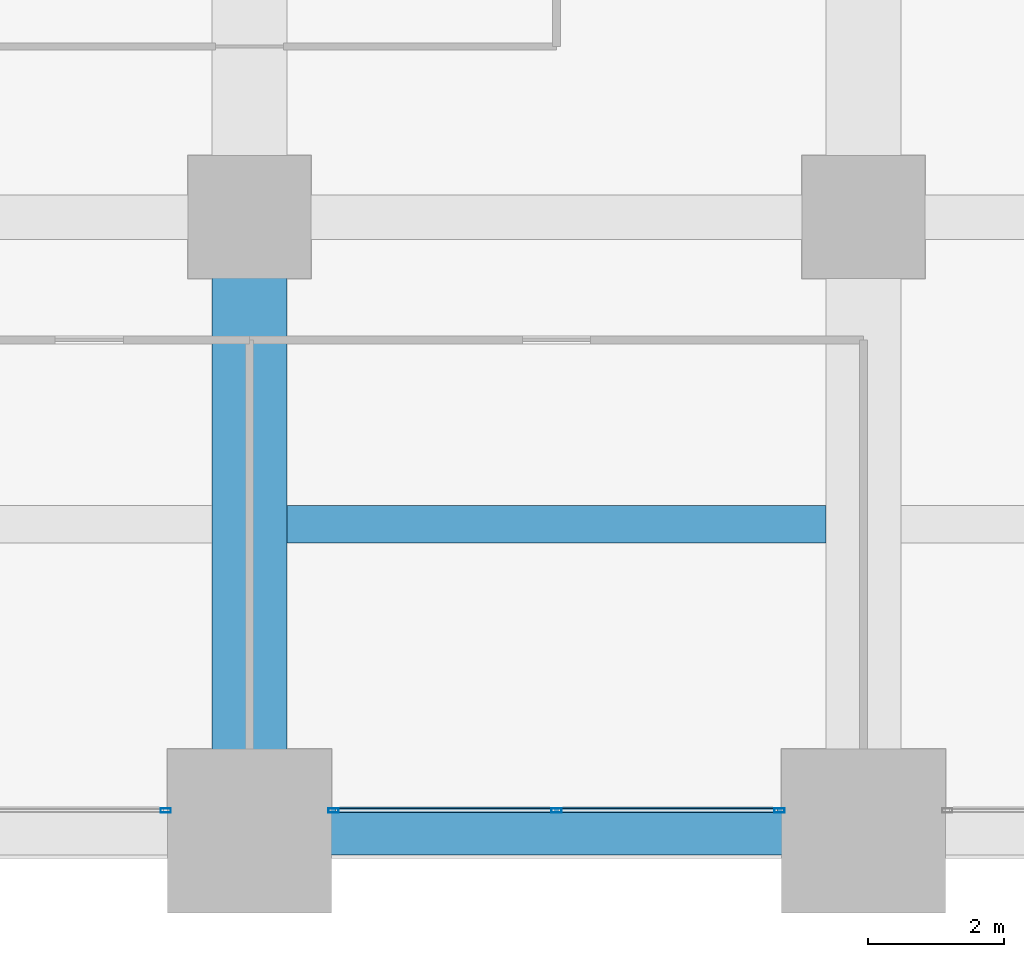
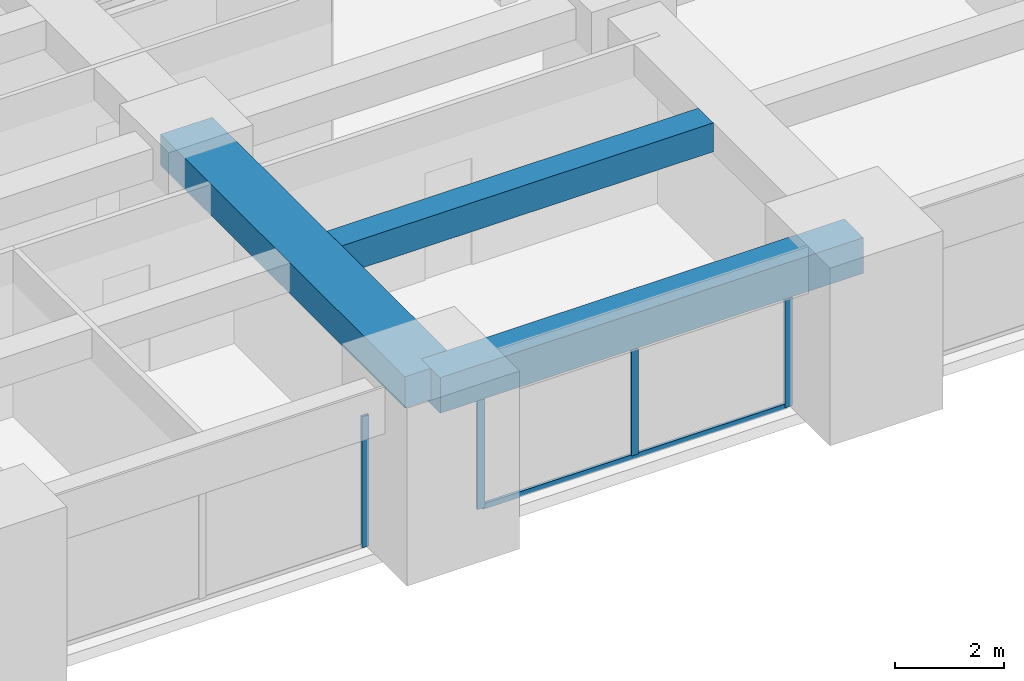
# One storey, part 6 of 41: 5 members, 3 beams, 2 elements without a shape of their own.
"""IFC4 building model written with IfcOpenShell, lengths in metres."""

from ifc_helpers import new_model, si_unit, direction, frame, origin, origin_2d, place, context, subcontext, project, spatial, rectangle, hollow_rectangle, extrude, material, material_profile, profile_set, type_object, element, aggregate, save


model = new_model("IFC4")

# Units and contexts
model_context = context("Model", 3, precision=1e-05, world=origin(), true_north=direction((0.0, 1.0)))
body_context = subcontext(model_context, "Body", "Model", "MODEL_VIEW")
ifc_project = project(units=[si_unit("LENGTHUNIT", "METRE"), si_unit("AREAUNIT", "SQUARE_METRE"), si_unit("VOLUMEUNIT", "CUBIC_METRE"), si_unit("PLANEANGLEUNIT", "RADIAN"), si_unit("MASSUNIT", "GRAM", prefix="KILO")], contexts=[model_context])

# Site, building, storey
site_placement = place(None, origin())
site = spatial("IfcSite", under=ifc_project, at=site_placement, CompositionType="ELEMENT")
building_placement = place(site_placement, origin())
building = spatial("IfcBuilding", under=site, at=building_placement, Name="Zorevar Civic Tower", CompositionType="ELEMENT")
storey_placement = place(building_placement, frame((0.0, 0.0, 137.0)))
storey = spatial("IfcBuildingStorey", under=building, at=storey_placement, Name="L33", CompositionType="ELEMENT", Elevation=137.0)

# Beams
ifc_material_1 = material(Name="Concrete C50/60", Category="concrete")
ifc_material_profile_1 = material_profile(ifc_material_1, rectangle(XDim=1.10009765625, YDim=0.699951171875, at=origin_2d()), Name="RC 1100x700")
ifc_profile_set_1 = profile_set([ifc_material_profile_1], Name="Concrete C50/60")
beam_type_1 = type_object("IfcBeamType", Name="Beam RC 1100x700", PredefinedType="BEAM", material=ifc_profile_set_1)
beam_1_placement = place(storey_placement, frame((18.0, 0.0, 3.39990234375), z_axis=(0.0, 1.0, 0.0), x_axis=(-1.0, 0.0, 0.0)))
element("IfcBeam", 1, at=beam_1_placement, inside=storey, type_object=beam_type_1, Name="Girder L34", PredefinedType="BEAM", context=body_context, shape_type="SweptSolid", body=[
    extrude(rectangle(XDim=1.10009765625, YDim=0.699951171875, at=origin_2d()), origin(), (0.0, 0.0, 1.0), 9.0),
])
ifc_material_2 = material(Name="Concrete C50/60", Category="concrete")
ifc_material_profile_2 = material_profile(ifc_material_2, rectangle(XDim=0.550048828125, YDim=0.64990234375, at=origin_2d()), Name="RC 550x650")
ifc_profile_set_2 = profile_set([ifc_material_profile_2], Name="Concrete C50/60")
beam_type_2 = type_object("IfcBeamType", Name="Beam RC 550x650", PredefinedType="BEAM", material=ifc_profile_set_2)
beam_2_placement = place(storey_placement, frame((18.550048828125, 4.5, 3.425048828125), z_axis=(1.0, 0.0, 0.0), x_axis=(0.0, 1.0, 0.0)))
element("IfcBeam", 2, at=beam_2_placement, inside=storey, type_object=beam_type_2, Name="Secondary beam L34", PredefinedType="BEAM", context=body_context, shape_type="SweptSolid", body=[
    extrude(rectangle(XDim=0.550048828125, YDim=0.64990234375, at=origin_2d()), origin(), (0.0, 0.0, 1.0), 7.89990234375),
])

# Curtain wall, member
ifc_material_3 = material(Name="Dark grey solar-control glass in black aluminium frame", Category="aluminium")
curtain_wall_type = type_object("IfcCurtainWallType", Name="Curtain wall CW3 mid zone", PredefinedType="NOTDEFINED", material=ifc_material_3)
curtain_wall_1_placement = place(storey_placement, origin())
curtain_wall_1 = element("IfcCurtainWall", 3, at=curtain_wall_1_placement, inside=storey, type_object=curtain_wall_type, Name="CW3 L33", PredefinedType="NOTDEFINED")
ifc_material_4 = material(Name="Aluminium, black anodised", Category="aluminium")
ifc_material_profile_3 = material_profile(ifc_material_4, hollow_rectangle(XDim=0.06005859375, YDim=0.14990234375, WallThickness=0.00390625, at=origin_2d()), Name="AL 150x60x4")
ifc_profile_set_3 = profile_set([ifc_material_profile_3], Name="Aluminium, black anodised")
member_type_1 = type_object("IfcMemberType", Name="CW3 mullion AL 150x60x4", PredefinedType="MULLION", material=ifc_profile_set_3)
member_1_placement = place(storey_placement, frame((16.77001953125, 0.300048828125, 0.0), z_axis=(0.0, 0.0, 1.0), x_axis=(0.0, 1.0, 0.0)))
member_1 = element("IfcMember", 4, at=member_1_placement, type_object=member_type_1, Name="CW3 mullion 3", PredefinedType="MULLION", context=body_context, shape_type="SweptSolid", body=[
    extrude(hollow_rectangle(XDim=0.06005859375, YDim=0.14990234375, WallThickness=0.00390625, at=origin_2d()), origin(), (0.0, 0.0, 1.0), 2.949951171875),
])
aggregate(curtain_wall_1, [member_1])

# Curtain wall, members
curtain_wall_2_placement = place(storey_placement, origin())
curtain_wall_2 = element("IfcCurtainWall", 5, at=curtain_wall_2_placement, inside=storey, type_object=curtain_wall_type, Name="CW3 L33", PredefinedType="NOTDEFINED")
member_2_placement = place(storey_placement, frame((19.22998046875, 0.300048828125, 0.0), z_axis=(0.0, 0.0, 1.0), x_axis=(0.0, 1.0, 0.0)))
member_2 = element("IfcMember", 6, at=member_2_placement, type_object=member_type_1, Name="CW3 mullion 1", PredefinedType="MULLION", context=body_context, shape_type="SweptSolid", body=[
    extrude(hollow_rectangle(XDim=0.06005859375, YDim=0.14990234375, WallThickness=0.00390625, at=origin_2d()), origin(), (0.0, 0.0, 1.0), 2.949951171875),
])
member_3_placement = place(storey_placement, frame((22.5, 0.300048828125, 0.06005859375), z_axis=(0.0, 0.0, 1.0), x_axis=(0.0, 1.0, 0.0)))
member_3 = element("IfcMember", 7, at=member_3_placement, type_object=member_type_1, Name="CW3 mullion 2", PredefinedType="MULLION", context=body_context, shape_type="SweptSolid", body=[
    extrude(hollow_rectangle(XDim=0.06005859375, YDim=0.14990234375, WallThickness=0.00390625, at=origin_2d()), origin(), (0.0, 0.0, 1.0), 2.889892578125),
])
member_4_placement = place(storey_placement, frame((25.77001953125, 0.300048828125, 0.0), z_axis=(0.0, 0.0, 1.0), x_axis=(0.0, 1.0, 0.0)))
member_4 = element("IfcMember", 8, at=member_4_placement, type_object=member_type_1, Name="CW3 mullion 3", PredefinedType="MULLION", context=body_context, shape_type="SweptSolid", body=[
    extrude(hollow_rectangle(XDim=0.06005859375, YDim=0.14990234375, WallThickness=0.00390625, at=origin_2d()), origin(), (0.0, 0.0, 1.0), 2.949951171875),
])
ifc_material_5 = material(Name="Aluminium, black anodised", Category="aluminium")
ifc_material_profile_4 = material_profile(ifc_material_5, hollow_rectangle(XDim=0.06005859375, YDim=0.1201171875, WallThickness=0.0029296875, at=origin_2d()), Name="AL 120x60x3")
ifc_profile_set_4 = profile_set([ifc_material_profile_4], Name="Aluminium, black anodised")
member_type_2 = type_object("IfcMemberType", Name="CW3 transom AL 120x60x3", PredefinedType="USERDEFINED", material=ifc_profile_set_4)
member_5_placement = place(storey_placement, frame((19.260009765625, 0.300048828125, 0.030029296875), z_axis=(1.0, 0.0, 0.0), x_axis=(0.0, 1.0, 0.0)))
member_5 = element("IfcMember", 9, at=member_5_placement, type_object=member_type_2, Name="CW3 sill transom", ObjectType="TRANSOM", PredefinedType="USERDEFINED", context=body_context, shape_type="SweptSolid", body=[
    extrude(hollow_rectangle(XDim=0.06005859375, YDim=0.1201171875, WallThickness=0.0029296875, at=origin_2d()), origin(), (0.0, 0.0, 1.0), 6.47998046875),
])
aggregate(curtain_wall_2, [member_2, member_3, member_4, member_5])

# Beam
ifc_material_6 = material(Name="Concrete C50/60", Category="concrete")
ifc_material_profile_5 = material_profile(ifc_material_6, rectangle(XDim=0.699951171875, YDim=0.800048828125, at=origin_2d()), Name="RC 700x800")
ifc_profile_set_5 = profile_set([ifc_material_profile_5], Name="Concrete C50/60")
beam_type_3 = type_object("IfcBeamType", Name="Edge beam RC 700x800", PredefinedType="SPANDREL", material=ifc_profile_set_5)
beam_3_placement = place(storey_placement, frame((18.0, 0.0, 3.35009765625), z_axis=(1.0, 0.0, 0.0), x_axis=(0.0, 1.0, 0.0)))
element("IfcBeam", 10, at=beam_3_placement, inside=storey, type_object=beam_type_3, Name="Edge beam L34", PredefinedType="SPANDREL", context=body_context, shape_type="SweptSolid", body=[
    extrude(rectangle(XDim=0.699951171875, YDim=0.800048828125, at=origin_2d()), origin(), (0.0, 0.0, 1.0), 9.0),
])

save(model, "model.ifc")
